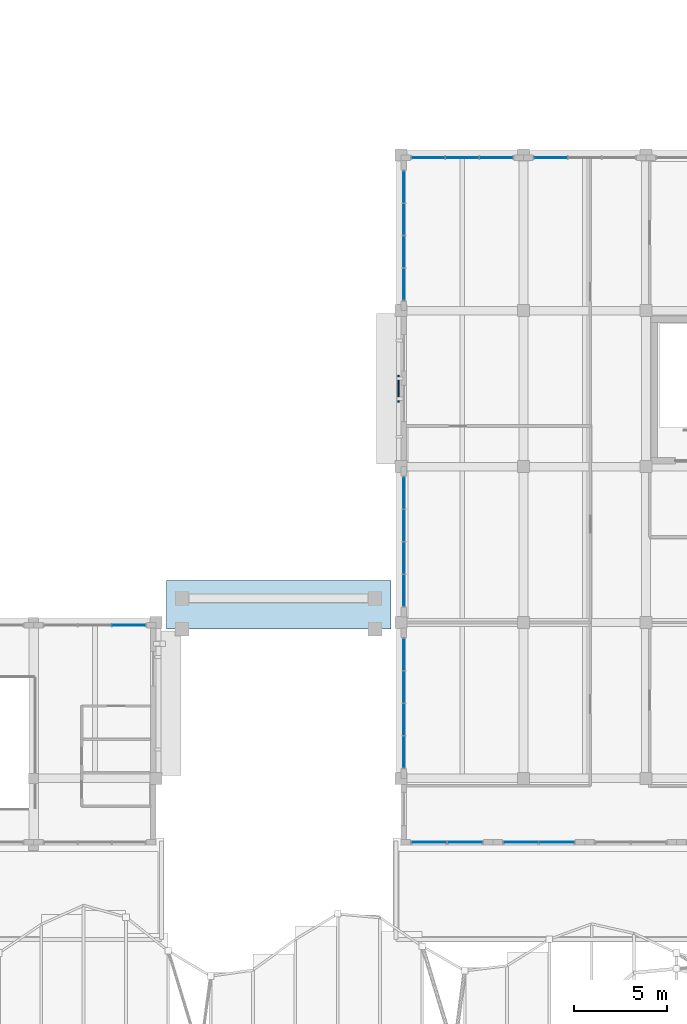
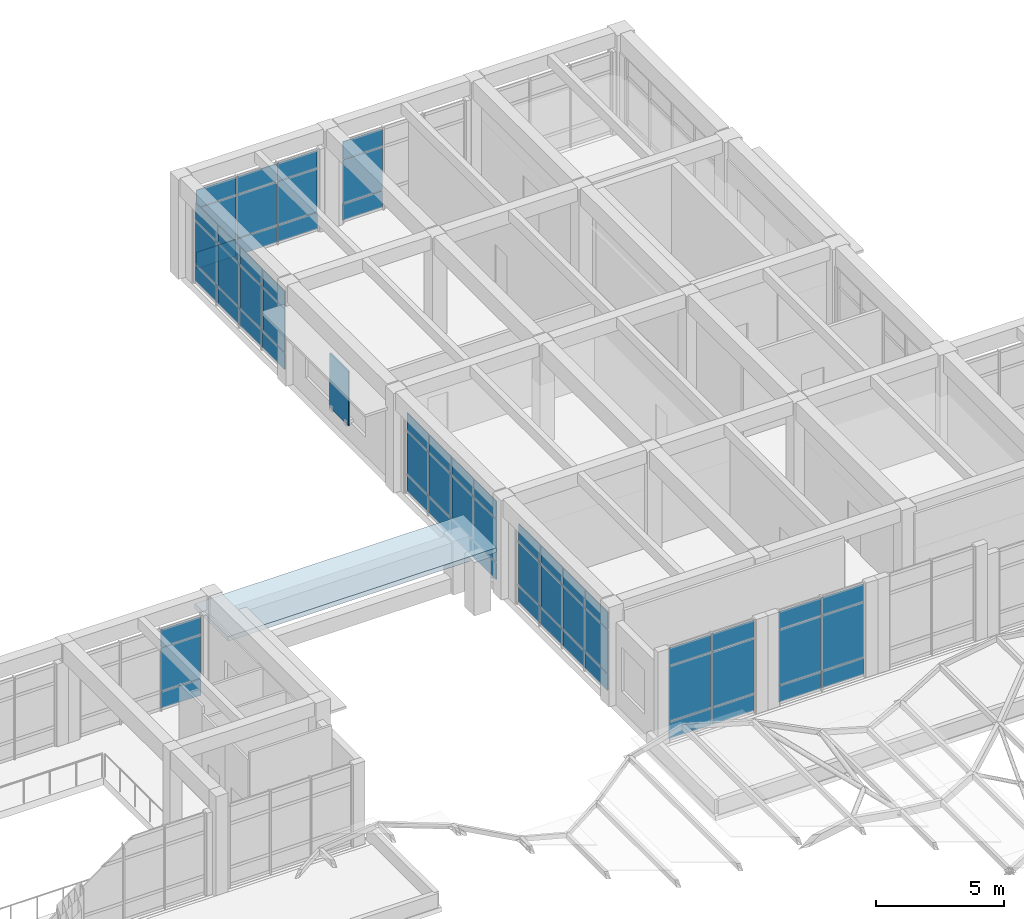
# One storey, part 40 of 79: 64 plates, 1 slab, 8 elements without a shape of their own.
"""IFC4 building model written with IfcOpenShell, lengths in metres."""

from ifc_helpers import new_model, si_unit, direction, frame, origin, origin_2d, place, context, subcontext, project, spatial, polyline, rectangle, outline, extrude, material, layer, layer_set, type_object, element, aggregate, save


model = new_model("IFC4")

# Units and contexts
model_context = context("Model", 3, precision=1e-05, world=origin(), true_north=direction((0.0, 1.0)))
body_context = subcontext(model_context, "Body", "Model", "MODEL_VIEW")
ifc_project = project(units=[si_unit("LENGTHUNIT", "METRE"), si_unit("AREAUNIT", "SQUARE_METRE"), si_unit("VOLUMEUNIT", "CUBIC_METRE"), si_unit("PLANEANGLEUNIT", "RADIAN"), si_unit("MASSUNIT", "GRAM", prefix="KILO")], contexts=[model_context])

# Site, building, storey
site_placement = place(None, origin())
site = spatial("IfcSite", under=ifc_project, at=site_placement, CompositionType="ELEMENT")
building_placement = place(site_placement, origin())
building = spatial("IfcBuilding", under=site, at=building_placement, Name="Kolvaren Faculty of Natural Sciences", CompositionType="ELEMENT")
storey_placement = place(building_placement, frame((0.0, 0.0, 10.199951171875)))
storey = spatial("IfcBuildingStorey", under=building, at=storey_placement, Name="L02", CompositionType="ELEMENT", Elevation=10.199951171875)

# Slab
ifc_material_1 = material(Name="Precast concrete C35/45", Category="concrete")
ifc_layer_1 = layer(ifc_material_1, 0.139892578125)
ifc_layer_set_1 = layer_set([ifc_layer_1], Name="Precast concrete C35/45")
slab_type = type_object("IfcSlabType", Name="ChhajjaSlopedEaveSlab_140", PredefinedType="ROOF", material=ifc_layer_set_1)
slab_placement = place(storey_placement, frame((0.0, 0.0, 2.380126953125)))
element("IfcSlab", 1, at=slab_placement, inside=storey, type_object=slab_type, Name="North-East Square-to-Street Breezeway Pishtaq Portal projecting Mughal chhajja cornice slab", PredefinedType="ROOF", context=body_context, shape_type="SweptSolid", body=[
    extrude(outline(polyline([(106.35009765625, 83.85009765625), (118.449951171875, 83.85009765625), (118.449951171875, 86.449951171875), (106.35009765625, 86.449951171875), (106.35009765625, 83.85009765625)])), origin(), (0.0, 0.0, 1.0), 0.219970703125),
])

# Curtain wall, plates
ifc_material_2 = material(Name="Thermally broken anodised aluminium framing", Category="aluminium")
ifc_layer_2 = layer(ifc_material_2, 0.179931640625)
ifc_layer_set_2 = layer_set([ifc_layer_2], Name="Thermally broken anodised aluminium framing")
curtain_wall_type_1 = type_object("IfcCurtainWallType", Name="CommonsCurtainWall_CW02", PredefinedType="NOTDEFINED", material=ifc_layer_set_2)
curtain_wall_1_placement = place(storey_placement, origin())
curtain_wall_1 = element("IfcCurtainWall", 2, at=curtain_wall_1_placement, inside=storey, type_object=curtain_wall_type_1, Name="L02 unitised curtain wall CW-02 (CW-L02-087)", PredefinedType="NOTDEFINED")
ifc_material_3 = material(Name="Double low-E solar control insulated glazing", Category="glass")
ifc_layer_3 = layer(ifc_material_3, 0.035888671875)
ifc_layer_set_3 = layer_set([ifc_layer_3], Name="Double low-E solar control insulated glazing")
plate_type_1 = type_object("IfcPlateType", Name="EnvelopePlate_CWPGL1", PredefinedType="CURTAIN_PANEL", material=ifc_layer_set_3)
plate_1_placement = place(storey_placement, frame((127.387451171875, 72.35009765625, 0.919921875), z_axis=(0.0, 0.0, 1.0), x_axis=(-1.0, 0.0, 0.0)))
plate_1 = element("IfcPlate", 3, at=plate_1_placement, type_object=plate_type_1, Name="CW-L02-087 panel 1 V1", PredefinedType="CURTAIN_PANEL", context=body_context, shape_type="SweptSolid", body=[
    extrude(rectangle(XDim=1.875, YDim=0.035888671875, at=origin_2d()), origin(), (0.0, 0.0, 1.0), 2.610107421875),
])
plate_2_placement = place(storey_placement, frame((125.46240234375, 72.35009765625, 0.919921875), z_axis=(0.0, 0.0, 1.0), x_axis=(-1.0, 0.0, 0.0)))
plate_2 = element("IfcPlate", 4, at=plate_2_placement, type_object=plate_type_1, Name="CW-L02-087 panel 2 V1", PredefinedType="CURTAIN_PANEL", context=body_context, shape_type="SweptSolid", body=[
    extrude(rectangle(XDim=1.875, YDim=0.035888671875, at=origin_2d()), origin(), (0.0, 0.0, 1.0), 2.610107421875),
])

curtain_wall_2_placement = place(storey_placement, origin())
curtain_wall_2 = element("IfcCurtainWall", 5, at=curtain_wall_2_placement, inside=storey, type_object=curtain_wall_type_1, Name="L02 unitised curtain wall CW-02 (CW-L02-088)", PredefinedType="NOTDEFINED")
plate_3_placement = place(storey_placement, frame((122.4375, 72.35009765625, 0.919921875), z_axis=(0.0, 0.0, 1.0), x_axis=(-1.0, 0.0, 0.0)))
plate_3 = element("IfcPlate", 6, at=plate_3_placement, type_object=plate_type_1, Name="CW-L02-088 panel 1 V1", PredefinedType="CURTAIN_PANEL", context=body_context, shape_type="SweptSolid", body=[
    extrude(rectangle(XDim=1.875, YDim=0.035888671875, at=origin_2d()), origin(), (0.0, 0.0, 1.0), 2.610107421875),
])
plate_4_placement = place(storey_placement, frame((120.512451171875, 72.35009765625, 0.919921875), z_axis=(0.0, 0.0, 1.0), x_axis=(-1.0, 0.0, 0.0)))
plate_4 = element("IfcPlate", 7, at=plate_4_placement, type_object=plate_type_1, Name="CW-L02-088 panel 2 V1", PredefinedType="CURTAIN_PANEL", context=body_context, shape_type="SweptSolid", body=[
    extrude(rectangle(XDim=1.875, YDim=0.035888671875, at=origin_2d()), origin(), (0.0, 0.0, 1.0), 2.610107421875),
])

curtain_wall_3_placement = place(storey_placement, origin())
curtain_wall_3 = element("IfcCurtainWall", 8, at=curtain_wall_3_placement, inside=storey, type_object=curtain_wall_type_1, Name="L02 unitised curtain wall CW-02 (CW-L02-089)", PredefinedType="NOTDEFINED")
plate_5_placement = place(storey_placement, frame((119.14990234375, 77.22509765625, 0.920166015625), z_axis=(0.0, 0.0, 1.0), x_axis=(0.0, 1.0, 0.0)))
plate_5 = element("IfcPlate", 9, at=plate_5_placement, type_object=plate_type_1, Name="CW-L02-089 panel 1 V1", PredefinedType="CURTAIN_PANEL", context=body_context, shape_type="SweptSolid", body=[
    extrude(rectangle(XDim=1.699951171875, YDim=0.035888671875, at=origin_2d()), origin(), (0.0, 0.0, 1.0), 2.044921875),
])
plate_6_placement = place(storey_placement, frame((119.14990234375, 78.97509765625, 0.920166015625), z_axis=(0.0, 0.0, 1.0), x_axis=(0.0, 1.0, 0.0)))
plate_6 = element("IfcPlate", 10, at=plate_6_placement, type_object=plate_type_1, Name="CW-L02-089 panel 2 V1", PredefinedType="CURTAIN_PANEL", context=body_context, shape_type="SweptSolid", body=[
    extrude(rectangle(XDim=1.699951171875, YDim=0.035888671875, at=origin_2d()), origin(), (0.0, 0.0, 1.0), 2.044921875),
])
plate_7_placement = place(storey_placement, frame((119.14990234375, 80.72509765625, 0.920166015625), z_axis=(0.0, 0.0, 1.0), x_axis=(0.0, 1.0, 0.0)))
plate_7 = element("IfcPlate", 11, at=plate_7_placement, type_object=plate_type_1, Name="CW-L02-089 panel 3 V1", PredefinedType="CURTAIN_PANEL", context=body_context, shape_type="SweptSolid", body=[
    extrude(rectangle(XDim=1.699951171875, YDim=0.035888671875, at=origin_2d()), origin(), (0.0, 0.0, 1.0), 2.044921875),
])
plate_8_placement = place(storey_placement, frame((119.14990234375, 82.47509765625, 0.920166015625), z_axis=(0.0, 0.0, 1.0), x_axis=(0.0, 1.0, 0.0)))
plate_8 = element("IfcPlate", 12, at=plate_8_placement, type_object=plate_type_1, Name="CW-L02-089 panel 4 V1", PredefinedType="CURTAIN_PANEL", context=body_context, shape_type="SweptSolid", body=[
    extrude(rectangle(XDim=1.699951171875, YDim=0.035888671875, at=origin_2d()), origin(), (0.0, 0.0, 1.0), 2.044921875),
])

curtain_wall_4_placement = place(storey_placement, origin())
curtain_wall_4 = element("IfcCurtainWall", 13, at=curtain_wall_4_placement, inside=storey, type_object=curtain_wall_type_1, Name="L02 unitised curtain wall CW-02 (CW-L02-090)", PredefinedType="NOTDEFINED")
plate_9_placement = place(storey_placement, frame((119.14990234375, 85.925048828125, 0.920166015625), z_axis=(0.0, 0.0, 1.0), x_axis=(0.0, 1.0, 0.0)))
plate_9 = element("IfcPlate", 14, at=plate_9_placement, type_object=plate_type_1, Name="CW-L02-090 panel 1 V1", PredefinedType="CURTAIN_PANEL", context=body_context, shape_type="SweptSolid", body=[
    extrude(rectangle(XDim=1.699951171875, YDim=0.035888671875, at=origin_2d()), origin(), (0.0, 0.0, 1.0), 2.044921875),
])
plate_10_placement = place(storey_placement, frame((119.14990234375, 87.675048828125, 0.920166015625), z_axis=(0.0, 0.0, 1.0), x_axis=(0.0, 1.0, 0.0)))
plate_10 = element("IfcPlate", 15, at=plate_10_placement, type_object=plate_type_1, Name="CW-L02-090 panel 2 V1", PredefinedType="CURTAIN_PANEL", context=body_context, shape_type="SweptSolid", body=[
    extrude(rectangle(XDim=1.699951171875, YDim=0.035888671875, at=origin_2d()), origin(), (0.0, 0.0, 1.0), 2.044921875),
])
plate_11_placement = place(storey_placement, frame((119.14990234375, 89.425048828125, 0.920166015625), z_axis=(0.0, 0.0, 1.0), x_axis=(0.0, 1.0, 0.0)))
plate_11 = element("IfcPlate", 16, at=plate_11_placement, type_object=plate_type_1, Name="CW-L02-090 panel 3 V1", PredefinedType="CURTAIN_PANEL", context=body_context, shape_type="SweptSolid", body=[
    extrude(rectangle(XDim=1.699951171875, YDim=0.035888671875, at=origin_2d()), origin(), (0.0, 0.0, 1.0), 2.044921875),
])
plate_12_placement = place(storey_placement, frame((119.14990234375, 91.175048828125, 0.920166015625), z_axis=(0.0, 0.0, 1.0), x_axis=(0.0, 1.0, 0.0)))
plate_12 = element("IfcPlate", 17, at=plate_12_placement, type_object=plate_type_1, Name="CW-L02-090 panel 4 V1", PredefinedType="CURTAIN_PANEL", context=body_context, shape_type="SweptSolid", body=[
    extrude(rectangle(XDim=1.699951171875, YDim=0.035888671875, at=origin_2d()), origin(), (0.0, 0.0, 1.0), 2.044921875),
])

curtain_wall_5_placement = place(storey_placement, origin())
curtain_wall_5 = element("IfcCurtainWall", 18, at=curtain_wall_5_placement, inside=storey, type_object=curtain_wall_type_1, Name="L02 unitised curtain wall CW-02 (CW-L02-091)", PredefinedType="NOTDEFINED")
plate_13_placement = place(storey_placement, frame((119.14990234375, 102.425048828125, 0.920166015625), z_axis=(0.0, 0.0, 1.0), x_axis=(0.0, 1.0, 0.0)))
plate_13 = element("IfcPlate", 19, at=plate_13_placement, type_object=plate_type_1, Name="CW-L02-091 panel 1 V1", PredefinedType="CURTAIN_PANEL", context=body_context, shape_type="SweptSolid", body=[
    extrude(rectangle(XDim=1.699951171875, YDim=0.035888671875, at=origin_2d()), origin(), (0.0, 0.0, 1.0), 2.044921875),
])
plate_14_placement = place(storey_placement, frame((119.14990234375, 104.175048828125, 0.920166015625), z_axis=(0.0, 0.0, 1.0), x_axis=(0.0, 1.0, 0.0)))
plate_14 = element("IfcPlate", 20, at=plate_14_placement, type_object=plate_type_1, Name="CW-L02-091 panel 2 V1", PredefinedType="CURTAIN_PANEL", context=body_context, shape_type="SweptSolid", body=[
    extrude(rectangle(XDim=1.699951171875, YDim=0.035888671875, at=origin_2d()), origin(), (0.0, 0.0, 1.0), 2.044921875),
])
plate_15_placement = place(storey_placement, frame((119.14990234375, 105.925048828125, 0.920166015625), z_axis=(0.0, 0.0, 1.0), x_axis=(0.0, 1.0, 0.0)))
plate_15 = element("IfcPlate", 21, at=plate_15_placement, type_object=plate_type_1, Name="CW-L02-091 panel 3 V1", PredefinedType="CURTAIN_PANEL", context=body_context, shape_type="SweptSolid", body=[
    extrude(rectangle(XDim=1.699951171875, YDim=0.035888671875, at=origin_2d()), origin(), (0.0, 0.0, 1.0), 2.044921875),
])
plate_16_placement = place(storey_placement, frame((119.14990234375, 107.675048828125, 0.920166015625), z_axis=(0.0, 0.0, 1.0), x_axis=(0.0, 1.0, 0.0)))
plate_16 = element("IfcPlate", 22, at=plate_16_placement, type_object=plate_type_1, Name="CW-L02-091 panel 4 V1", PredefinedType="CURTAIN_PANEL", context=body_context, shape_type="SweptSolid", body=[
    extrude(rectangle(XDim=1.699951171875, YDim=0.035888671875, at=origin_2d()), origin(), (0.0, 0.0, 1.0), 2.044921875),
])

curtain_wall_6_placement = place(storey_placement, origin())
curtain_wall_6 = element("IfcCurtainWall", 23, at=curtain_wall_6_placement, inside=storey, type_object=curtain_wall_type_1, Name="L02 unitised curtain wall CW-02 (CW-L02-092)", PredefinedType="NOTDEFINED")
plate_17_placement = place(storey_placement, frame((120.466796875, 109.25, 0.920166015625), z_axis=(0.0, 0.0, 1.0), x_axis=(1.0, 0.0, 0.0)))
plate_17 = element("IfcPlate", 24, at=plate_17_placement, type_object=plate_type_1, Name="CW-L02-092 panel 1 V1", PredefinedType="CURTAIN_PANEL", context=body_context, shape_type="SweptSolid", body=[
    extrude(rectangle(XDim=1.783203125, YDim=0.035888671875, at=origin_2d()), origin(), (0.0, 0.0, 1.0), 2.044921875),
])
plate_18_placement = place(storey_placement, frame((122.300048828125, 109.25, 0.920166015625), z_axis=(0.0, 0.0, 1.0), x_axis=(1.0, 0.0, 0.0)))
plate_18 = element("IfcPlate", 25, at=plate_18_placement, type_object=plate_type_1, Name="CW-L02-092 panel 2 V1", PredefinedType="CURTAIN_PANEL", context=body_context, shape_type="SweptSolid", body=[
    extrude(rectangle(XDim=1.783203125, YDim=0.035888671875, at=origin_2d()), origin(), (0.0, 0.0, 1.0), 2.044921875),
])
plate_19_placement = place(storey_placement, frame((124.13330078125, 109.25, 0.920166015625), z_axis=(0.0, 0.0, 1.0), x_axis=(1.0, 0.0, 0.0)))
plate_19 = element("IfcPlate", 26, at=plate_19_placement, type_object=plate_type_1, Name="CW-L02-092 panel 3 V1", PredefinedType="CURTAIN_PANEL", context=body_context, shape_type="SweptSolid", body=[
    extrude(rectangle(XDim=1.783203125, YDim=0.035888671875, at=origin_2d()), origin(), (0.0, 0.0, 1.0), 2.044921875),
])

# Curtain wall, plate
curtain_wall_7_placement = place(storey_placement, origin())
curtain_wall_7 = element("IfcCurtainWall", 27, at=curtain_wall_7_placement, inside=storey, type_object=curtain_wall_type_1, Name="L02 unitised curtain wall CW-02 (CW-L02-093)", PredefinedType="NOTDEFINED")
plate_20_placement = place(storey_placement, frame((127.066650390625, 109.25, 0.920166015625), z_axis=(0.0, 0.0, 1.0), x_axis=(1.0, 0.0, 0.0)))
plate_20 = element("IfcPlate", 28, at=plate_20_placement, type_object=plate_type_1, Name="CW-L02-093 panel 1 V1", PredefinedType="CURTAIN_PANEL", context=body_context, shape_type="SweptSolid", body=[
    extrude(rectangle(XDim=1.783203125, YDim=0.035888671875, at=origin_2d()), origin(), (0.0, 0.0, 1.0), 2.044921875),
])

ifc_layer_4 = layer(ifc_material_2, 0.179931640625)
ifc_layer_set_4 = layer_set([ifc_layer_4], Name="Thermally broken anodised aluminium framing")
curtain_wall_type_2 = type_object("IfcCurtainWallType", Name="AtriumCurtainWall_CW01", PredefinedType="NOTDEFINED", material=ifc_layer_set_4)
curtain_wall_8_placement = place(storey_placement, origin())
curtain_wall_8 = element("IfcCurtainWall", 29, at=curtain_wall_8_placement, inside=storey, type_object=curtain_wall_type_2, Name="L02 unitised curtain wall CW-01 (CW-L02-132)", PredefinedType="NOTDEFINED")
plate_21_placement = place(storey_placement, frame((104.333251953125, 84.050048828125, 0.920166015625), z_axis=(0.0, 0.0, 1.0), x_axis=(1.0, 0.0, 0.0)))
plate_21 = element("IfcPlate", 30, at=plate_21_placement, type_object=plate_type_1, Name="CW-L02-132 panel 3 V1", PredefinedType="CURTAIN_PANEL", context=body_context, shape_type="SweptSolid", body=[
    extrude(rectangle(XDim=1.783203125, YDim=0.035888671875, at=origin_2d()), origin(), (0.0, 0.0, 1.0), 2.044921875),
])

# Plate
ifc_layer_5 = layer(ifc_material_3, 0.035888671875)
ifc_layer_set_5 = layer_set([ifc_layer_5], Name="Double low-E solar control insulated glazing")
plate_type_2 = type_object("IfcPlateType", Name="EnvelopePlate_CWPGL2", PredefinedType="CURTAIN_PANEL", material=ifc_layer_set_5)
plate_22_placement = place(storey_placement, frame((127.387451171875, 72.35009765625, 3.570068359375), z_axis=(0.0, 0.0, 1.0), x_axis=(-1.0, 0.0, 0.0)))
plate_22 = element("IfcPlate", 31, at=plate_22_placement, type_object=plate_type_2, Name="CW-L02-087 panel 1 V2", PredefinedType="CURTAIN_PANEL", context=body_context, shape_type="SweptSolid", body=[
    extrude(rectangle(XDim=1.875, YDim=0.035888671875, at=origin_2d()), origin(), (0.0, 0.0, 1.0), 0.830078125),
])

plate_23_placement = place(storey_placement, frame((125.46240234375, 72.35009765625, 3.570068359375), z_axis=(0.0, 0.0, 1.0), x_axis=(-1.0, 0.0, 0.0)))
plate_23 = element("IfcPlate", 32, at=plate_23_placement, type_object=plate_type_2, Name="CW-L02-087 panel 2 V2", PredefinedType="CURTAIN_PANEL", context=body_context, shape_type="SweptSolid", body=[
    extrude(rectangle(XDim=1.875, YDim=0.035888671875, at=origin_2d()), origin(), (0.0, 0.0, 1.0), 0.830078125),
])

plate_24_placement = place(storey_placement, frame((122.4375, 72.35009765625, 3.570068359375), z_axis=(0.0, 0.0, 1.0), x_axis=(-1.0, 0.0, 0.0)))
plate_24 = element("IfcPlate", 33, at=plate_24_placement, type_object=plate_type_2, Name="CW-L02-088 panel 1 V2", PredefinedType="CURTAIN_PANEL", context=body_context, shape_type="SweptSolid", body=[
    extrude(rectangle(XDim=1.875, YDim=0.035888671875, at=origin_2d()), origin(), (0.0, 0.0, 1.0), 0.830078125),
])

plate_25_placement = place(storey_placement, frame((120.512451171875, 72.35009765625, 3.570068359375), z_axis=(0.0, 0.0, 1.0), x_axis=(-1.0, 0.0, 0.0)))
plate_25 = element("IfcPlate", 34, at=plate_25_placement, type_object=plate_type_2, Name="CW-L02-088 panel 2 V2", PredefinedType="CURTAIN_PANEL", context=body_context, shape_type="SweptSolid", body=[
    extrude(rectangle(XDim=1.875, YDim=0.035888671875, at=origin_2d()), origin(), (0.0, 0.0, 1.0), 0.830078125),
])

plate_26_placement = place(storey_placement, frame((119.14990234375, 77.22509765625, 3.005126953125), z_axis=(0.0, 0.0, 1.0), x_axis=(0.0, 1.0, 0.0)))
plate_26 = element("IfcPlate", 35, at=plate_26_placement, type_object=plate_type_2, Name="CW-L02-089 panel 1 V2", PredefinedType="CURTAIN_PANEL", context=body_context, shape_type="SweptSolid", body=[
    extrude(rectangle(XDim=1.699951171875, YDim=0.035888671875, at=origin_2d()), origin(), (0.0, 0.0, 1.0), 0.830078125),
])

plate_27_placement = place(storey_placement, frame((119.14990234375, 78.97509765625, 3.005126953125), z_axis=(0.0, 0.0, 1.0), x_axis=(0.0, 1.0, 0.0)))
plate_27 = element("IfcPlate", 36, at=plate_27_placement, type_object=plate_type_2, Name="CW-L02-089 panel 2 V2", PredefinedType="CURTAIN_PANEL", context=body_context, shape_type="SweptSolid", body=[
    extrude(rectangle(XDim=1.699951171875, YDim=0.035888671875, at=origin_2d()), origin(), (0.0, 0.0, 1.0), 0.830078125),
])

plate_28_placement = place(storey_placement, frame((119.14990234375, 80.72509765625, 3.005126953125), z_axis=(0.0, 0.0, 1.0), x_axis=(0.0, 1.0, 0.0)))
plate_28 = element("IfcPlate", 37, at=plate_28_placement, type_object=plate_type_2, Name="CW-L02-089 panel 3 V2", PredefinedType="CURTAIN_PANEL", context=body_context, shape_type="SweptSolid", body=[
    extrude(rectangle(XDim=1.699951171875, YDim=0.035888671875, at=origin_2d()), origin(), (0.0, 0.0, 1.0), 0.830078125),
])

plate_29_placement = place(storey_placement, frame((119.14990234375, 82.47509765625, 3.005126953125), z_axis=(0.0, 0.0, 1.0), x_axis=(0.0, 1.0, 0.0)))
plate_29 = element("IfcPlate", 38, at=plate_29_placement, type_object=plate_type_2, Name="CW-L02-089 panel 4 V2", PredefinedType="CURTAIN_PANEL", context=body_context, shape_type="SweptSolid", body=[
    extrude(rectangle(XDim=1.699951171875, YDim=0.035888671875, at=origin_2d()), origin(), (0.0, 0.0, 1.0), 0.830078125),
])

plate_30_placement = place(storey_placement, frame((119.14990234375, 85.925048828125, 3.005126953125), z_axis=(0.0, 0.0, 1.0), x_axis=(0.0, 1.0, 0.0)))
plate_30 = element("IfcPlate", 39, at=plate_30_placement, type_object=plate_type_2, Name="CW-L02-090 panel 1 V2", PredefinedType="CURTAIN_PANEL", context=body_context, shape_type="SweptSolid", body=[
    extrude(rectangle(XDim=1.699951171875, YDim=0.035888671875, at=origin_2d()), origin(), (0.0, 0.0, 1.0), 0.830078125),
])

plate_31_placement = place(storey_placement, frame((119.14990234375, 87.675048828125, 3.005126953125), z_axis=(0.0, 0.0, 1.0), x_axis=(0.0, 1.0, 0.0)))
plate_31 = element("IfcPlate", 40, at=plate_31_placement, type_object=plate_type_2, Name="CW-L02-090 panel 2 V2", PredefinedType="CURTAIN_PANEL", context=body_context, shape_type="SweptSolid", body=[
    extrude(rectangle(XDim=1.699951171875, YDim=0.035888671875, at=origin_2d()), origin(), (0.0, 0.0, 1.0), 0.830078125),
])

plate_32_placement = place(storey_placement, frame((119.14990234375, 89.425048828125, 3.005126953125), z_axis=(0.0, 0.0, 1.0), x_axis=(0.0, 1.0, 0.0)))
plate_32 = element("IfcPlate", 41, at=plate_32_placement, type_object=plate_type_2, Name="CW-L02-090 panel 3 V2", PredefinedType="CURTAIN_PANEL", context=body_context, shape_type="SweptSolid", body=[
    extrude(rectangle(XDim=1.699951171875, YDim=0.035888671875, at=origin_2d()), origin(), (0.0, 0.0, 1.0), 0.830078125),
])

plate_33_placement = place(storey_placement, frame((119.14990234375, 91.175048828125, 3.005126953125), z_axis=(0.0, 0.0, 1.0), x_axis=(0.0, 1.0, 0.0)))
plate_33 = element("IfcPlate", 42, at=plate_33_placement, type_object=plate_type_2, Name="CW-L02-090 panel 4 V2", PredefinedType="CURTAIN_PANEL", context=body_context, shape_type="SweptSolid", body=[
    extrude(rectangle(XDim=1.699951171875, YDim=0.035888671875, at=origin_2d()), origin(), (0.0, 0.0, 1.0), 0.830078125),
])

plate_34_placement = place(storey_placement, frame((119.14990234375, 102.425048828125, 3.005126953125), z_axis=(0.0, 0.0, 1.0), x_axis=(0.0, 1.0, 0.0)))
plate_34 = element("IfcPlate", 43, at=plate_34_placement, type_object=plate_type_2, Name="CW-L02-091 panel 1 V2", PredefinedType="CURTAIN_PANEL", context=body_context, shape_type="SweptSolid", body=[
    extrude(rectangle(XDim=1.699951171875, YDim=0.035888671875, at=origin_2d()), origin(), (0.0, 0.0, 1.0), 0.830078125),
])

plate_35_placement = place(storey_placement, frame((119.14990234375, 104.175048828125, 3.005126953125), z_axis=(0.0, 0.0, 1.0), x_axis=(0.0, 1.0, 0.0)))
plate_35 = element("IfcPlate", 44, at=plate_35_placement, type_object=plate_type_2, Name="CW-L02-091 panel 2 V2", PredefinedType="CURTAIN_PANEL", context=body_context, shape_type="SweptSolid", body=[
    extrude(rectangle(XDim=1.699951171875, YDim=0.035888671875, at=origin_2d()), origin(), (0.0, 0.0, 1.0), 0.830078125),
])

plate_36_placement = place(storey_placement, frame((119.14990234375, 105.925048828125, 3.005126953125), z_axis=(0.0, 0.0, 1.0), x_axis=(0.0, 1.0, 0.0)))
plate_36 = element("IfcPlate", 45, at=plate_36_placement, type_object=plate_type_2, Name="CW-L02-091 panel 3 V2", PredefinedType="CURTAIN_PANEL", context=body_context, shape_type="SweptSolid", body=[
    extrude(rectangle(XDim=1.699951171875, YDim=0.035888671875, at=origin_2d()), origin(), (0.0, 0.0, 1.0), 0.830078125),
])

plate_37_placement = place(storey_placement, frame((119.14990234375, 107.675048828125, 3.005126953125), z_axis=(0.0, 0.0, 1.0), x_axis=(0.0, 1.0, 0.0)))
plate_37 = element("IfcPlate", 46, at=plate_37_placement, type_object=plate_type_2, Name="CW-L02-091 panel 4 V2", PredefinedType="CURTAIN_PANEL", context=body_context, shape_type="SweptSolid", body=[
    extrude(rectangle(XDim=1.699951171875, YDim=0.035888671875, at=origin_2d()), origin(), (0.0, 0.0, 1.0), 0.830078125),
])

plate_38_placement = place(storey_placement, frame((120.466796875, 109.25, 3.005126953125), z_axis=(0.0, 0.0, 1.0), x_axis=(1.0, 0.0, 0.0)))
plate_38 = element("IfcPlate", 47, at=plate_38_placement, type_object=plate_type_2, Name="CW-L02-092 panel 1 V2", PredefinedType="CURTAIN_PANEL", context=body_context, shape_type="SweptSolid", body=[
    extrude(rectangle(XDim=1.783203125, YDim=0.035888671875, at=origin_2d()), origin(), (0.0, 0.0, 1.0), 0.830078125),
])

plate_39_placement = place(storey_placement, frame((122.300048828125, 109.25, 3.005126953125), z_axis=(0.0, 0.0, 1.0), x_axis=(1.0, 0.0, 0.0)))
plate_39 = element("IfcPlate", 48, at=plate_39_placement, type_object=plate_type_2, Name="CW-L02-092 panel 2 V2", PredefinedType="CURTAIN_PANEL", context=body_context, shape_type="SweptSolid", body=[
    extrude(rectangle(XDim=1.783203125, YDim=0.035888671875, at=origin_2d()), origin(), (0.0, 0.0, 1.0), 0.830078125),
])

plate_40_placement = place(storey_placement, frame((124.13330078125, 109.25, 3.005126953125), z_axis=(0.0, 0.0, 1.0), x_axis=(1.0, 0.0, 0.0)))
plate_40 = element("IfcPlate", 49, at=plate_40_placement, type_object=plate_type_2, Name="CW-L02-092 panel 3 V2", PredefinedType="CURTAIN_PANEL", context=body_context, shape_type="SweptSolid", body=[
    extrude(rectangle(XDim=1.783203125, YDim=0.035888671875, at=origin_2d()), origin(), (0.0, 0.0, 1.0), 0.830078125),
])

plate_41_placement = place(storey_placement, frame((127.066650390625, 109.25, 3.005126953125), z_axis=(0.0, 0.0, 1.0), x_axis=(1.0, 0.0, 0.0)))
plate_41 = element("IfcPlate", 50, at=plate_41_placement, type_object=plate_type_2, Name="CW-L02-093 panel 1 V2", PredefinedType="CURTAIN_PANEL", context=body_context, shape_type="SweptSolid", body=[
    extrude(rectangle(XDim=1.783203125, YDim=0.035888671875, at=origin_2d()), origin(), (0.0, 0.0, 1.0), 0.830078125),
])

plate_42_placement = place(storey_placement, frame((104.333251953125, 84.050048828125, 3.005126953125), z_axis=(0.0, 0.0, 1.0), x_axis=(1.0, 0.0, 0.0)))
plate_42 = element("IfcPlate", 51, at=plate_42_placement, type_object=plate_type_2, Name="CW-L02-132 panel 3 V2", PredefinedType="CURTAIN_PANEL", context=body_context, shape_type="SweptSolid", body=[
    extrude(rectangle(XDim=1.783203125, YDim=0.035888671875, at=origin_2d()), origin(), (0.0, 0.0, 1.0), 0.830078125),
])

ifc_material_4 = material(Name="Insulated anodised aluminium spandrel panel", Category="aluminium")
ifc_layer_6 = layer(ifc_material_4, 0.050048828125)
ifc_layer_set_6 = layer_set([ifc_layer_6], Name="Insulated anodised aluminium spandrel panel")
plate_type_3 = type_object("IfcPlateType", Name="EnvelopePlate_CWPSP1", PredefinedType="SHEET", material=ifc_layer_set_6)
plate_43_placement = place(storey_placement, frame((127.387451171875, 72.35009765625, 0.10009765625), z_axis=(0.0, 0.0, 1.0), x_axis=(-1.0, 0.0, 0.0)))
plate_43 = element("IfcPlate", 52, at=plate_43_placement, type_object=plate_type_3, Name="CW-L02-087 panel 1 SP", PredefinedType="SHEET", context=body_context, shape_type="SweptSolid", body=[
    extrude(rectangle(XDim=1.875, YDim=0.050048828125, at=origin_2d()), origin(), (0.0, 0.0, 1.0), 0.780029296875),
])

plate_44_placement = place(storey_placement, frame((125.46240234375, 72.35009765625, 0.10009765625), z_axis=(0.0, 0.0, 1.0), x_axis=(-1.0, 0.0, 0.0)))
plate_44 = element("IfcPlate", 53, at=plate_44_placement, type_object=plate_type_3, Name="CW-L02-087 panel 2 SP", PredefinedType="SHEET", context=body_context, shape_type="SweptSolid", body=[
    extrude(rectangle(XDim=1.875, YDim=0.050048828125, at=origin_2d()), origin(), (0.0, 0.0, 1.0), 0.780029296875),
])

aggregate(curtain_wall_1, [plate_43, plate_1, plate_22, plate_44, plate_2, plate_23])

plate_45_placement = place(storey_placement, frame((122.4375, 72.35009765625, 0.10009765625), z_axis=(0.0, 0.0, 1.0), x_axis=(-1.0, 0.0, 0.0)))
plate_45 = element("IfcPlate", 54, at=plate_45_placement, type_object=plate_type_3, Name="CW-L02-088 panel 1 SP", PredefinedType="SHEET", context=body_context, shape_type="SweptSolid", body=[
    extrude(rectangle(XDim=1.875, YDim=0.050048828125, at=origin_2d()), origin(), (0.0, 0.0, 1.0), 0.780029296875),
])

plate_46_placement = place(storey_placement, frame((120.512451171875, 72.35009765625, 0.10009765625), z_axis=(0.0, 0.0, 1.0), x_axis=(-1.0, 0.0, 0.0)))
plate_46 = element("IfcPlate", 55, at=plate_46_placement, type_object=plate_type_3, Name="CW-L02-088 panel 2 SP", PredefinedType="SHEET", context=body_context, shape_type="SweptSolid", body=[
    extrude(rectangle(XDim=1.875, YDim=0.050048828125, at=origin_2d()), origin(), (0.0, 0.0, 1.0), 0.780029296875),
])

aggregate(curtain_wall_2, [plate_45, plate_3, plate_24, plate_46, plate_4, plate_25])

plate_47_placement = place(storey_placement, frame((119.14990234375, 77.22509765625, 0.10009765625), z_axis=(0.0, 0.0, 1.0), x_axis=(0.0, 1.0, 0.0)))
plate_47 = element("IfcPlate", 56, at=plate_47_placement, type_object=plate_type_3, Name="CW-L02-089 panel 1 SP", PredefinedType="SHEET", context=body_context, shape_type="SweptSolid", body=[
    extrude(rectangle(XDim=1.699951171875, YDim=0.050048828125, at=origin_2d()), origin(), (0.0, 0.0, 1.0), 0.780029296875),
])

plate_48_placement = place(storey_placement, frame((119.14990234375, 78.97509765625, 0.10009765625), z_axis=(0.0, 0.0, 1.0), x_axis=(0.0, 1.0, 0.0)))
plate_48 = element("IfcPlate", 57, at=plate_48_placement, type_object=plate_type_3, Name="CW-L02-089 panel 2 SP", PredefinedType="SHEET", context=body_context, shape_type="SweptSolid", body=[
    extrude(rectangle(XDim=1.699951171875, YDim=0.050048828125, at=origin_2d()), origin(), (0.0, 0.0, 1.0), 0.780029296875),
])

plate_49_placement = place(storey_placement, frame((119.14990234375, 80.72509765625, 0.10009765625), z_axis=(0.0, 0.0, 1.0), x_axis=(0.0, 1.0, 0.0)))
plate_49 = element("IfcPlate", 58, at=plate_49_placement, type_object=plate_type_3, Name="CW-L02-089 panel 3 SP", PredefinedType="SHEET", context=body_context, shape_type="SweptSolid", body=[
    extrude(rectangle(XDim=1.699951171875, YDim=0.050048828125, at=origin_2d()), origin(), (0.0, 0.0, 1.0), 0.780029296875),
])

plate_50_placement = place(storey_placement, frame((119.14990234375, 82.47509765625, 0.10009765625), z_axis=(0.0, 0.0, 1.0), x_axis=(0.0, 1.0, 0.0)))
plate_50 = element("IfcPlate", 59, at=plate_50_placement, type_object=plate_type_3, Name="CW-L02-089 panel 4 SP", PredefinedType="SHEET", context=body_context, shape_type="SweptSolid", body=[
    extrude(rectangle(XDim=1.699951171875, YDim=0.050048828125, at=origin_2d()), origin(), (0.0, 0.0, 1.0), 0.780029296875),
])

aggregate(curtain_wall_3, [plate_47, plate_5, plate_26, plate_48, plate_6, plate_27, plate_49, plate_7, plate_28, plate_50, plate_8, plate_29])

plate_51_placement = place(storey_placement, frame((119.14990234375, 85.925048828125, 0.10009765625), z_axis=(0.0, 0.0, 1.0), x_axis=(0.0, 1.0, 0.0)))
plate_51 = element("IfcPlate", 60, at=plate_51_placement, type_object=plate_type_3, Name="CW-L02-090 panel 1 SP", PredefinedType="SHEET", context=body_context, shape_type="SweptSolid", body=[
    extrude(rectangle(XDim=1.699951171875, YDim=0.050048828125, at=origin_2d()), origin(), (0.0, 0.0, 1.0), 0.780029296875),
])

plate_52_placement = place(storey_placement, frame((119.14990234375, 87.675048828125, 0.10009765625), z_axis=(0.0, 0.0, 1.0), x_axis=(0.0, 1.0, 0.0)))
plate_52 = element("IfcPlate", 61, at=plate_52_placement, type_object=plate_type_3, Name="CW-L02-090 panel 2 SP", PredefinedType="SHEET", context=body_context, shape_type="SweptSolid", body=[
    extrude(rectangle(XDim=1.699951171875, YDim=0.050048828125, at=origin_2d()), origin(), (0.0, 0.0, 1.0), 0.780029296875),
])

plate_53_placement = place(storey_placement, frame((119.14990234375, 89.425048828125, 0.10009765625), z_axis=(0.0, 0.0, 1.0), x_axis=(0.0, 1.0, 0.0)))
plate_53 = element("IfcPlate", 62, at=plate_53_placement, type_object=plate_type_3, Name="CW-L02-090 panel 3 SP", PredefinedType="SHEET", context=body_context, shape_type="SweptSolid", body=[
    extrude(rectangle(XDim=1.699951171875, YDim=0.050048828125, at=origin_2d()), origin(), (0.0, 0.0, 1.0), 0.780029296875),
])

plate_54_placement = place(storey_placement, frame((119.14990234375, 91.175048828125, 0.10009765625), z_axis=(0.0, 0.0, 1.0), x_axis=(0.0, 1.0, 0.0)))
plate_54 = element("IfcPlate", 63, at=plate_54_placement, type_object=plate_type_3, Name="CW-L02-090 panel 4 SP", PredefinedType="SHEET", context=body_context, shape_type="SweptSolid", body=[
    extrude(rectangle(XDim=1.699951171875, YDim=0.050048828125, at=origin_2d()), origin(), (0.0, 0.0, 1.0), 0.780029296875),
])

aggregate(curtain_wall_4, [plate_51, plate_9, plate_30, plate_52, plate_10, plate_31, plate_53, plate_11, plate_32, plate_54, plate_12, plate_33])

plate_55_placement = place(storey_placement, frame((119.14990234375, 102.425048828125, 0.10009765625), z_axis=(0.0, 0.0, 1.0), x_axis=(0.0, 1.0, 0.0)))
plate_55 = element("IfcPlate", 64, at=plate_55_placement, type_object=plate_type_3, Name="CW-L02-091 panel 1 SP", PredefinedType="SHEET", context=body_context, shape_type="SweptSolid", body=[
    extrude(rectangle(XDim=1.699951171875, YDim=0.050048828125, at=origin_2d()), origin(), (0.0, 0.0, 1.0), 0.780029296875),
])

plate_56_placement = place(storey_placement, frame((119.14990234375, 104.175048828125, 0.10009765625), z_axis=(0.0, 0.0, 1.0), x_axis=(0.0, 1.0, 0.0)))
plate_56 = element("IfcPlate", 65, at=plate_56_placement, type_object=plate_type_3, Name="CW-L02-091 panel 2 SP", PredefinedType="SHEET", context=body_context, shape_type="SweptSolid", body=[
    extrude(rectangle(XDim=1.699951171875, YDim=0.050048828125, at=origin_2d()), origin(), (0.0, 0.0, 1.0), 0.780029296875),
])

plate_57_placement = place(storey_placement, frame((119.14990234375, 105.925048828125, 0.10009765625), z_axis=(0.0, 0.0, 1.0), x_axis=(0.0, 1.0, 0.0)))
plate_57 = element("IfcPlate", 66, at=plate_57_placement, type_object=plate_type_3, Name="CW-L02-091 panel 3 SP", PredefinedType="SHEET", context=body_context, shape_type="SweptSolid", body=[
    extrude(rectangle(XDim=1.699951171875, YDim=0.050048828125, at=origin_2d()), origin(), (0.0, 0.0, 1.0), 0.780029296875),
])

plate_58_placement = place(storey_placement, frame((119.14990234375, 107.675048828125, 0.10009765625), z_axis=(0.0, 0.0, 1.0), x_axis=(0.0, 1.0, 0.0)))
plate_58 = element("IfcPlate", 67, at=plate_58_placement, type_object=plate_type_3, Name="CW-L02-091 panel 4 SP", PredefinedType="SHEET", context=body_context, shape_type="SweptSolid", body=[
    extrude(rectangle(XDim=1.699951171875, YDim=0.050048828125, at=origin_2d()), origin(), (0.0, 0.0, 1.0), 0.780029296875),
])

aggregate(curtain_wall_5, [plate_55, plate_13, plate_34, plate_56, plate_14, plate_35, plate_57, plate_15, plate_36, plate_58, plate_16, plate_37])

plate_59_placement = place(storey_placement, frame((120.466796875, 109.25, 0.10009765625), z_axis=(0.0, 0.0, 1.0), x_axis=(1.0, 0.0, 0.0)))
plate_59 = element("IfcPlate", 68, at=plate_59_placement, type_object=plate_type_3, Name="CW-L02-092 panel 1 SP", PredefinedType="SHEET", context=body_context, shape_type="SweptSolid", body=[
    extrude(rectangle(XDim=1.783203125, YDim=0.050048828125, at=origin_2d()), origin(), (0.0, 0.0, 1.0), 0.780029296875),
])

plate_60_placement = place(storey_placement, frame((122.300048828125, 109.25, 0.10009765625), z_axis=(0.0, 0.0, 1.0), x_axis=(1.0, 0.0, 0.0)))
plate_60 = element("IfcPlate", 69, at=plate_60_placement, type_object=plate_type_3, Name="CW-L02-092 panel 2 SP", PredefinedType="SHEET", context=body_context, shape_type="SweptSolid", body=[
    extrude(rectangle(XDim=1.783203125, YDim=0.050048828125, at=origin_2d()), origin(), (0.0, 0.0, 1.0), 0.780029296875),
])

plate_61_placement = place(storey_placement, frame((124.13330078125, 109.25, 0.10009765625), z_axis=(0.0, 0.0, 1.0), x_axis=(1.0, 0.0, 0.0)))
plate_61 = element("IfcPlate", 70, at=plate_61_placement, type_object=plate_type_3, Name="CW-L02-092 panel 3 SP", PredefinedType="SHEET", context=body_context, shape_type="SweptSolid", body=[
    extrude(rectangle(XDim=1.783203125, YDim=0.050048828125, at=origin_2d()), origin(), (0.0, 0.0, 1.0), 0.780029296875),
])

aggregate(curtain_wall_6, [plate_59, plate_17, plate_38, plate_60, plate_18, plate_39, plate_61, plate_19, plate_40])

plate_62_placement = place(storey_placement, frame((127.066650390625, 109.25, 0.10009765625), z_axis=(0.0, 0.0, 1.0), x_axis=(1.0, 0.0, 0.0)))
plate_62 = element("IfcPlate", 71, at=plate_62_placement, type_object=plate_type_3, Name="CW-L02-093 panel 1 SP", PredefinedType="SHEET", context=body_context, shape_type="SweptSolid", body=[
    extrude(rectangle(XDim=1.783203125, YDim=0.050048828125, at=origin_2d()), origin(), (0.0, 0.0, 1.0), 0.780029296875),
])

aggregate(curtain_wall_7, [plate_62, plate_20, plate_41])

plate_63_placement = place(storey_placement, frame((104.333251953125, 84.050048828125, 0.10009765625), z_axis=(0.0, 0.0, 1.0), x_axis=(1.0, 0.0, 0.0)))
plate_63 = element("IfcPlate", 72, at=plate_63_placement, type_object=plate_type_3, Name="CW-L02-132 panel 3 SP", PredefinedType="SHEET", context=body_context, shape_type="SweptSolid", body=[
    extrude(rectangle(XDim=1.783203125, YDim=0.050048828125, at=origin_2d()), origin(), (0.0, 0.0, 1.0), 0.780029296875),
])

aggregate(curtain_wall_8, [plate_63, plate_21, plate_42])

ifc_material_5 = material(Name="Extruded architectural terracotta screen", Category="masonry")
ifc_layer_7 = layer(ifc_material_5, 0.06494140625)
ifc_layer_set_7 = layer_set([ifc_layer_7], Name="Extruded architectural terracotta screen")
plate_type_4 = type_object("IfcPlateType", Name="EnvelopePlate_JL01", PredefinedType="USERDEFINED", material=ifc_layer_set_7)
plate_64_placement = place(storey_placement, frame((118.860107421875, 96.800048828125, 0.85009765625), z_axis=(0.0, 0.0, 1.0), x_axis=(0.0, 1.0, 0.0)))
element("IfcPlate", 73, at=plate_64_placement, inside=storey, type_object=plate_type_4, Name="L02 perforated terracotta jali sun screen JL-01", ObjectType="SCREEN", PredefinedType="USERDEFINED", context=body_context, shape_type="SweptSolid", body=[
    extrude(rectangle(XDim=1.449951171875, YDim=0.06494140625, at=origin_2d()), origin(), (0.0, 0.0, 1.0), 2.60009765625),
])

save(model, "model.ifc")
